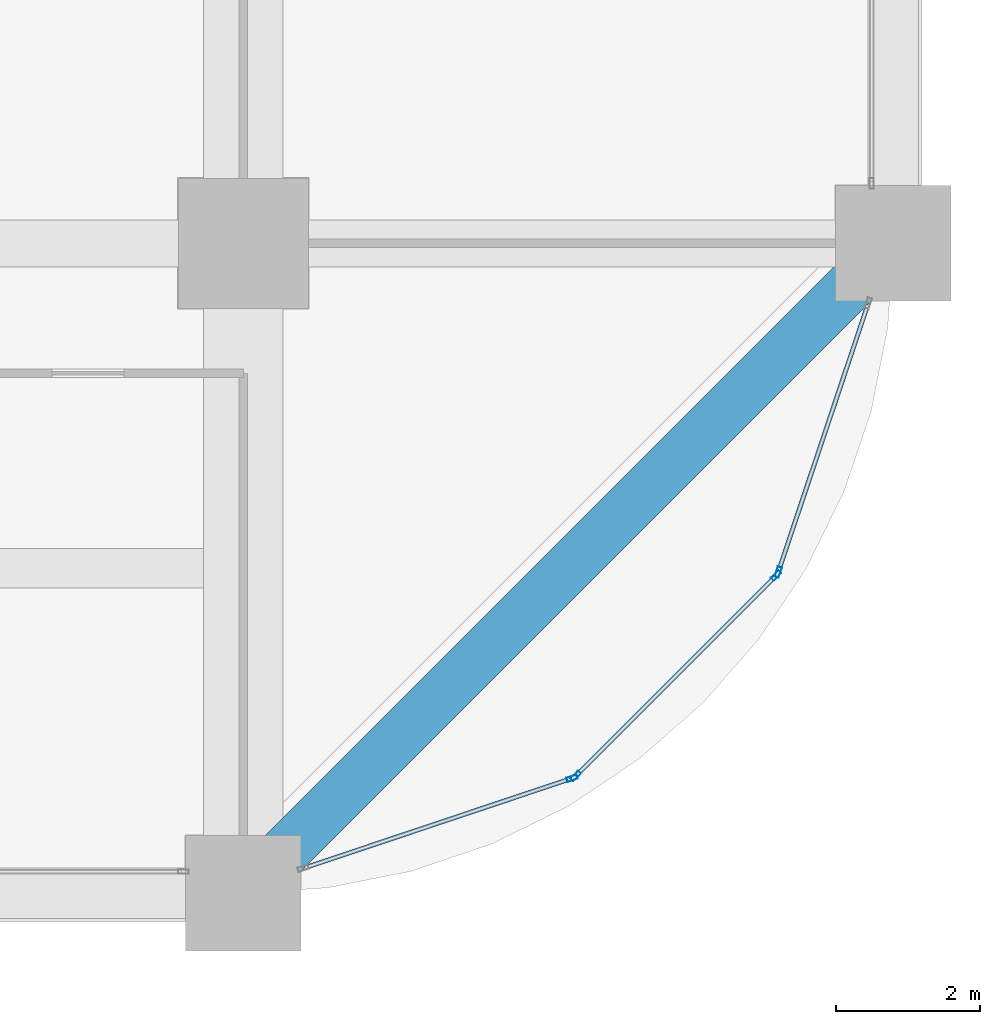
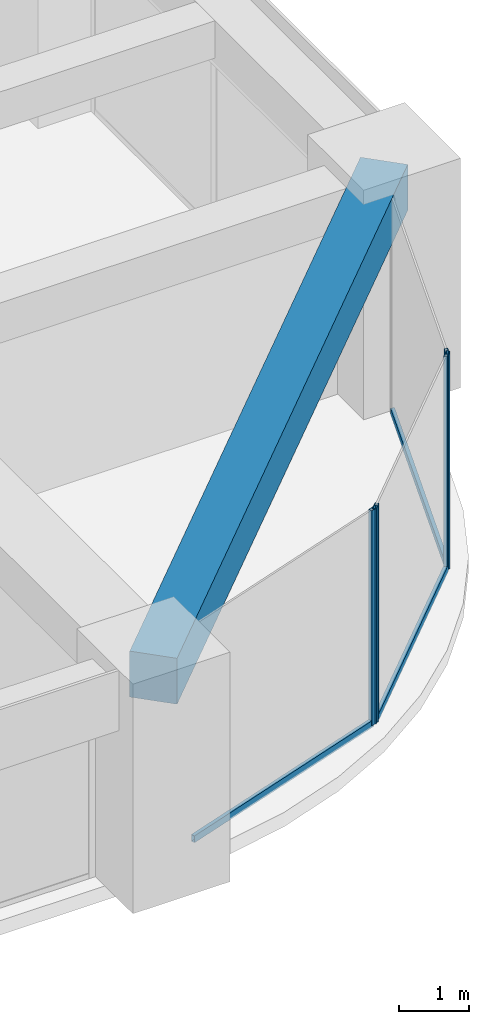
# One storey, part 17 of 41: 7 members, 1 beam, 3 elements without a shape of their own.
"""IFC4 building model written with IfcOpenShell, lengths in metres."""

from ifc_helpers import new_model, si_unit, direction, frame, origin, origin_2d, place, context, subcontext, project, spatial, rectangle, hollow_rectangle, extrude, material, material_profile, profile_set, type_object, element, aggregate, save


model = new_model("IFC4")

# Units and contexts
model_context = context("Model", 3, precision=1e-05, world=origin(), true_north=direction((0.0, 1.0)))
body_context = subcontext(model_context, "Body", "Model", "MODEL_VIEW")
ifc_project = project(units=[si_unit("LENGTHUNIT", "METRE"), si_unit("AREAUNIT", "SQUARE_METRE"), si_unit("VOLUMEUNIT", "CUBIC_METRE"), si_unit("PLANEANGLEUNIT", "RADIAN"), si_unit("MASSUNIT", "GRAM", prefix="KILO")], contexts=[model_context])

# Site, building, storey
site_placement = place(None, origin())
site = spatial("IfcSite", under=ifc_project, at=site_placement, CompositionType="ELEMENT")
building_placement = place(site_placement, origin())
building = spatial("IfcBuilding", under=site, at=building_placement, Name="Zorevar Civic Tower", CompositionType="ELEMENT")
storey_placement = place(building_placement, frame((0.0, 0.0, 137.0)))
storey = spatial("IfcBuildingStorey", under=building, at=storey_placement, Name="L33", CompositionType="ELEMENT", Elevation=137.0)

# Curtain wall, member
ifc_material_1 = material(Name="Dark grey solar-control glass in black aluminium frame", Category="aluminium")
curtain_wall_type = type_object("IfcCurtainWallType", Name="Curtain wall CW3 mid zone", PredefinedType="NOTDEFINED", material=ifc_material_1)
curtain_wall_1_placement = place(storey_placement, origin())
curtain_wall_1 = element("IfcCurtainWall", 1, at=curtain_wall_1_placement, inside=storey, type_object=curtain_wall_type, Name="CW3 L33", PredefinedType="NOTDEFINED")
ifc_material_2 = material(Name="Aluminium, black anodised", Category="aluminium")
ifc_material_profile_1 = material_profile(ifc_material_2, hollow_rectangle(XDim=0.06005859375, YDim=0.14990234375, WallThickness=0.00390625, at=origin_2d()), Name="AL 150x60x4")
ifc_profile_set_1 = profile_set([ifc_material_profile_1], Name="Aluminium, black anodised")
member_type_1 = type_object("IfcMemberType", Name="CW3 mullion AL 150x60x4", PredefinedType="MULLION", material=ifc_profile_set_1)
member_1_placement = place(storey_placement, frame((58.55078125, 1.59326171875, 0.0), z_axis=(0.0, 0.0, 1.0), x_axis=(-0.317592669603, 0.948227238701, 0.0)))
member_1 = element("IfcMember", 2, at=member_1_placement, type_object=member_type_1, Name="CW3 mullion 2", PredefinedType="MULLION", context=body_context, shape_type="SweptSolid", body=[
    extrude(hollow_rectangle(XDim=0.06005859375, YDim=0.14990234375, WallThickness=0.00390625, at=origin_2d()), origin(), (0.0, 0.0, 1.0), 3.75),
])

# Curtain wall, members
curtain_wall_2_placement = place(storey_placement, origin())
curtain_wall_2 = element("IfcCurtainWall", 3, at=curtain_wall_2_placement, inside=storey, type_object=curtain_wall_type, Name="CW3 L33", PredefinedType="NOTDEFINED")
member_2_placement = place(storey_placement, frame((58.600341796875, 1.6240234375, 0.0), z_axis=(0.0, 0.0, 1.0), x_axis=(-0.707106781187, 0.707106781187, 0.0)))
member_2 = element("IfcMember", 4, at=member_2_placement, type_object=member_type_1, Name="CW3 mullion 1", PredefinedType="MULLION", context=body_context, shape_type="SweptSolid", body=[
    extrude(hollow_rectangle(XDim=0.06005859375, YDim=0.14990234375, WallThickness=0.00390625, at=origin_2d()), origin(), (0.0, 0.0, 1.0), 3.75),
])
member_3_placement = place(storey_placement, frame((61.3759765625, 4.399658203125, 0.0), z_axis=(0.0, 0.0, 1.0), x_axis=(-0.707106781187, 0.707106781187, 0.0)))
member_3 = element("IfcMember", 5, at=member_3_placement, type_object=member_type_1, Name="CW3 mullion 2", PredefinedType="MULLION", context=body_context, shape_type="SweptSolid", body=[
    extrude(hollow_rectangle(XDim=0.06005859375, YDim=0.14990234375, WallThickness=0.00390625, at=origin_2d()), origin(), (0.0, 0.0, 1.0), 3.75),
])

# Curtain wall, member
curtain_wall_3_placement = place(storey_placement, origin())
curtain_wall_3 = element("IfcCurtainWall", 6, at=curtain_wall_3_placement, inside=storey, type_object=curtain_wall_type, Name="CW3 L33", PredefinedType="NOTDEFINED")
member_4_placement = place(storey_placement, frame((61.40673828125, 4.44921875, 0.0), z_axis=(0.0, 0.0, 1.0), x_axis=(-0.948227238701, 0.317592669603, 0.0)))
member_4 = element("IfcMember", 7, at=member_4_placement, type_object=member_type_1, Name="CW3 mullion 1", PredefinedType="MULLION", context=body_context, shape_type="SweptSolid", body=[
    extrude(hollow_rectangle(XDim=0.06005859375, YDim=0.14990234375, WallThickness=0.00390625, at=origin_2d()), origin(), (0.0, 0.0, 1.0), 3.75),
])

# Member
ifc_material_3 = material(Name="Aluminium, black anodised", Category="aluminium")
ifc_material_profile_2 = material_profile(ifc_material_3, hollow_rectangle(XDim=0.06005859375, YDim=0.1201171875, WallThickness=0.0029296875, at=origin_2d()), Name="AL 120x60x3")
ifc_profile_set_2 = profile_set([ifc_material_profile_2], Name="Aluminium, black anodised")
member_type_2 = type_object("IfcMemberType", Name="CW3 transom AL 120x60x3", PredefinedType="USERDEFINED", material=ifc_profile_set_2)
member_5_placement = place(storey_placement, frame((54.85693359375, 0.35595703125, 0.030029296875), z_axis=(0.94821488093, 0.317629563458, 0.0), x_axis=(-0.317629563458, 0.94821488093, 0.0)))
member_5 = element("IfcMember", 8, at=member_5_placement, type_object=member_type_2, Name="CW3 sill transom", ObjectType="TRANSOM", PredefinedType="USERDEFINED", context=body_context, shape_type="SweptSolid", body=[
    extrude(hollow_rectangle(XDim=0.06005859375, YDim=0.1201171875, WallThickness=0.0029296875, at=origin_2d()), origin(), (0.0, 0.0, 1.0), 3.865478515625),
])

aggregate(curtain_wall_1, [member_1, member_5])

member_6_placement = place(storey_placement, frame((58.62158203125, 1.64501953125, 0.030029296875), z_axis=(0.707106781187, 0.707106781187, 0.0), x_axis=(-0.707106781187, 0.707106781187, 0.0)))
member_6 = element("IfcMember", 9, at=member_6_placement, type_object=member_type_2, Name="CW3 sill transom", ObjectType="TRANSOM", PredefinedType="USERDEFINED", context=body_context, shape_type="SweptSolid", body=[
    extrude(hollow_rectangle(XDim=0.06005859375, YDim=0.1201171875, WallThickness=0.0029296875, at=origin_2d()), origin(), (0.0, 0.0, 1.0), 3.86572265625),
])

aggregate(curtain_wall_2, [member_2, member_3, member_6])

member_7_placement = place(storey_placement, frame((61.416259765625, 4.477783203125, 0.030029296875), z_axis=(0.317629563458, 0.94821488093, 0.0), x_axis=(-0.94821488093, 0.317629563458, 0.0)))
member_7 = element("IfcMember", 10, at=member_7_placement, type_object=member_type_2, Name="CW3 sill transom", ObjectType="TRANSOM", PredefinedType="USERDEFINED", context=body_context, shape_type="SweptSolid", body=[
    extrude(hollow_rectangle(XDim=0.06005859375, YDim=0.1201171875, WallThickness=0.0029296875, at=origin_2d()), origin(), (0.0, 0.0, 1.0), 3.865478515625),
])

aggregate(curtain_wall_3, [member_4, member_7])

# Beam
ifc_material_4 = material(Name="Concrete C50/60", Category="concrete")
ifc_material_profile_3 = material_profile(ifc_material_4, rectangle(XDim=0.699951171875, YDim=0.800048828125, at=origin_2d()), Name="RC 700x800")
ifc_profile_set_3 = profile_set([ifc_material_profile_3], Name="Concrete C50/60")
beam_type = type_object("IfcBeamType", Name="Edge beam RC 700x800", PredefinedType="SPANDREL", material=ifc_profile_set_3)
beam_placement = place(storey_placement, frame((54.0, 0.0, 3.35009765625), z_axis=(0.707106781187, 0.707106781187, 0.0), x_axis=(-0.707106781187, 0.707106781187, 0.0)))
element("IfcBeam", 11, at=beam_placement, inside=storey, type_object=beam_type, Name="Corner edge beam L34", PredefinedType="SPANDREL", context=body_context, shape_type="SweptSolid", body=[
    extrude(rectangle(XDim=0.699951171875, YDim=0.800048828125, at=origin_2d()), origin(), (0.0, 0.0, 1.0), 12.72802734375),
])

save(model, "model.ifc")
